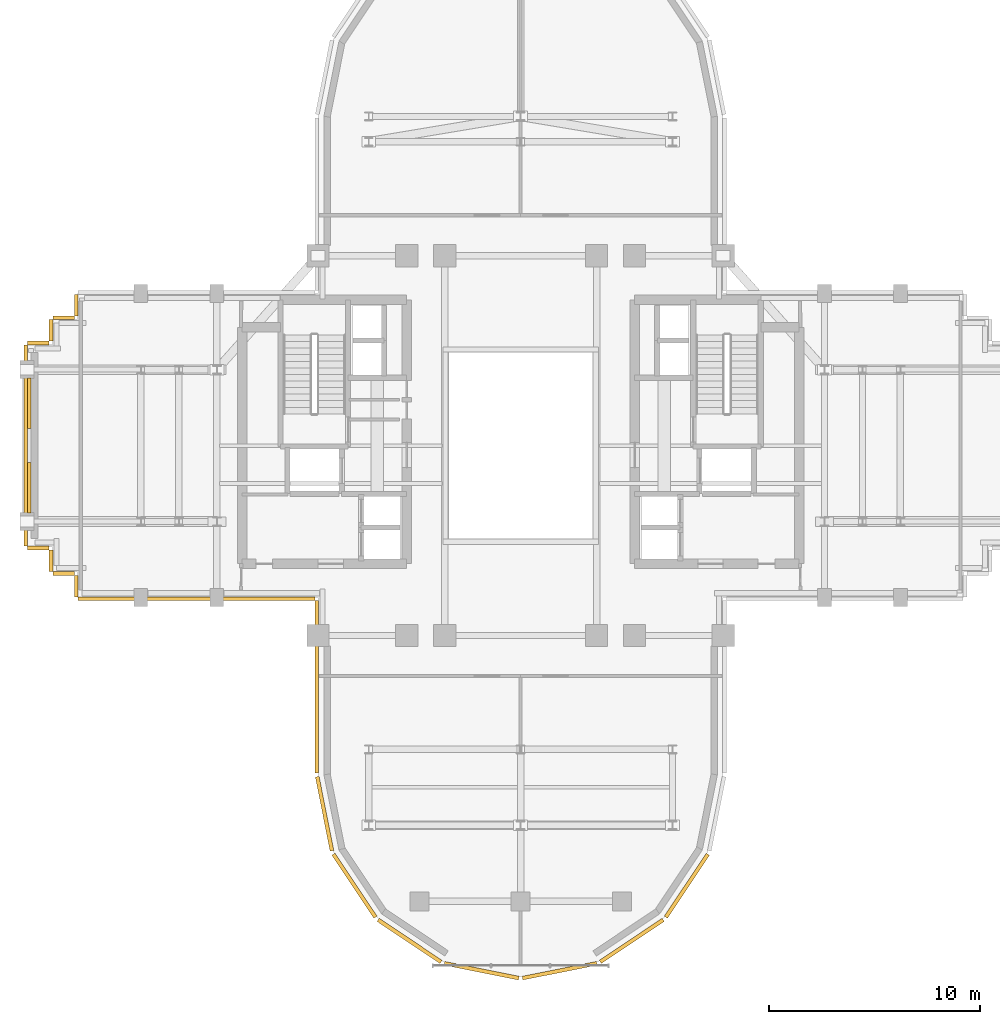
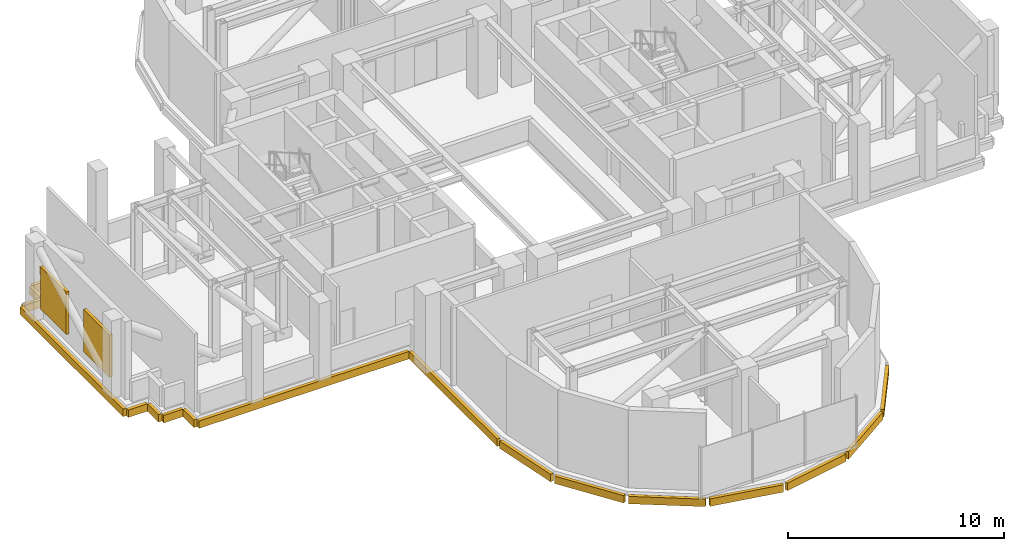
# One storey, part 9 of 11: 18 coverings, 2 shading devices.
"""IFC4 building model written with IfcOpenShell, lengths in metres."""

from ifc_helpers import new_model, si_unit, direction, frame, origin, origin_2d, place, context, subcontext, project, spatial, rectangle, extrude, source, transform, mapped, material, layer, layer_set, type_object, element, save


model = new_model("IFC4")

# Units and contexts
model_context = context("Model", 3, precision=1e-05, world=origin(), true_north=direction((0.0, 1.0)))
body_context = subcontext(model_context, "Body", "Model", "MODEL_VIEW")
ifc_project = project(units=[si_unit("LENGTHUNIT", "METRE"), si_unit("AREAUNIT", "SQUARE_METRE"), si_unit("VOLUMEUNIT", "CUBIC_METRE"), si_unit("PLANEANGLEUNIT", "RADIAN"), si_unit("MASSUNIT", "GRAM", prefix="KILO")], contexts=[model_context])

# Site, building, storey
site_placement = place(None, origin())
site = spatial("IfcSite", under=ifc_project, at=site_placement, CompositionType="ELEMENT")
building_placement = place(site_placement, origin())
building = spatial("IfcBuilding", under=site, at=building_placement, Name="Keilestroom Media Tower", CompositionType="ELEMENT")
storey_placement = place(building_placement, frame((0.0, 0.0, 151.60009765625)))
storey = spatial("IfcBuildingStorey", under=building, at=storey_placement, Name="L41", CompositionType="ELEMENT", Elevation=151.60009765625)

# Shading devices
ifc_material_1 = material(Name="Bronze Anodised Aluminium", Category="aluminium")
ifc_layer_1 = layer(ifc_material_1, 0.159912109375)
ifc_layer_set_1 = layer_set([ifc_layer_1], Name="Bronze Anodised Aluminium")
shading_device_type = type_object("IfcShadingDeviceType", Name="Facade-Plant-Intake-Louvre-SHD-2", PredefinedType="USERDEFINED", material=ifc_layer_set_1)
shared_shape_1 = source(origin(), body_context, "Body", "SweptSolid", [
    extrude(rectangle(XDim=0.159912109375, YDim=2.39990234375, at=origin_2d()), origin(), (0.0, 0.0, 1.0), 2.39990234375),
])
for number, where, z_axis, x_axis, name in (
    (1, (-23.2900390625, -2.0, 0.599853515625), (0.0, 0.0, 1.0), (1.0, 0.0, 0.0), "L41 Plant Intake Louvre W 09"),
    (2, (-23.2900390625, 2.0, 0.599853515625), (0.0, 0.0, 1.0), (1.0, 0.0, 0.0), "L41 Plant Intake Louvre W 10"),
):
    element("IfcShadingDevice", number, at=place(storey_placement, frame(where, z_axis=z_axis, x_axis=x_axis)), inside=storey, type_object=shading_device_type, Name=name, ObjectType="LOUVER", PredefinedType="USERDEFINED", context=body_context, shape_type="MappedRepresentation", body=[
        mapped(shared_shape_1, transform((0.0, 0.0, 0.0), x_axis=(1.0, 0.0, 0.0), y_axis=(0.0, 1.0, 0.0), z_axis=(0.0, 0.0, 1.0), scale=1.0)),
    ])

# Coverings
ifc_material_2 = material(Name="Precast concrete C40/50", Category="concrete")
ifc_layer_2 = layer(ifc_material_2, 0.1201171875)
ifc_layer_set_2 = layer_set([ifc_layer_2], Name="Precast concrete C40/50")
covering_type = type_object("IfcCoveringType", Name="Exterior-Precast-Spandrel-Cladding-Panel-120", PredefinedType="CLADDING", material=ifc_layer_set_2)
shared_shape_2 = source(origin(), body_context, "Body", "SweptSolid", [
    extrude(rectangle(XDim=1.02001953125, YDim=0.179931640625, at=origin_2d()), origin(), (0.0, 0.0, 1.0), 0.419921875),
])
for number, where, z_axis, x_axis, name in (
    (3, (-21.06005859375, -6.659912109375, -0.60009765625), (0.0, 0.0, 1.0), (0.0, 1.0, 0.0), "L41 Precast Slab-Edge Fascia Cornice 17"),
    (4, (-21.659912109375, -6.06005859375, -0.60009765625), (0.0, 0.0, 1.0), (-1.0, 0.0, 0.0), "L41 Precast Slab-Edge Fascia Cornice 18"),
    (5, (-22.260009765625, -5.4599609375, -0.60009765625), (0.0, 0.0, 1.0), (0.0, 1.0, 0.0), "L41 Precast Slab-Edge Fascia Cornice 19"),
    (6, (-22.860107421875, -4.860107421875, -0.60009765625), (0.0, 0.0, 1.0), (-1.0, 0.0, 0.0), "L41 Precast Slab-Edge Fascia Cornice 20"),
    (7, (-22.860107421875, 4.860107421875, -0.60009765625), (0.0, 0.0, 1.0), (1.0, 0.0, 0.0), "L41 Precast Slab-Edge Fascia Cornice 22"),
    (8, (-22.260009765625, 5.4599609375, -0.60009765625), (0.0, 0.0, 1.0), (0.0, 1.0, 0.0), "L41 Precast Slab-Edge Fascia Cornice 23"),
    (9, (-21.659912109375, 6.06005859375, -0.60009765625), (0.0, 0.0, 1.0), (1.0, 0.0, 0.0), "L41 Precast Slab-Edge Fascia Cornice 24"),
    (10, (-21.06005859375, 6.659912109375, -0.60009765625), (0.0, 0.0, 1.0), (0.0, 1.0, 0.0), "L41 Precast Slab-Edge Fascia Cornice 25"),
):
    element("IfcCovering", number, at=place(storey_placement, frame(where, z_axis=z_axis, x_axis=x_axis)), inside=storey, type_object=covering_type, Name=name, PredefinedType="CLADDING", context=body_context, shape_type="MappedRepresentation", body=[
        mapped(shared_shape_2, transform((0.0, 0.0, 0.0), x_axis=(1.0, 0.0, 0.0), y_axis=(0.0, 1.0, 0.0), z_axis=(0.0, 0.0, 1.0), scale=1.0)),
    ])
shared_shape_3 = source(origin(), body_context, "Body", "SweptSolid", [
    extrude(rectangle(XDim=8.166015625, YDim=0.179931640625, at=origin_2d()), origin(), (0.0, 0.0, 1.0), 0.419921875),
])
covering_1_placement = place(storey_placement, frame((-9.659912109375, -11.43310546875, -0.60009765625), z_axis=(0.0, 0.0, 1.0), x_axis=(0.0, 1.0, 0.0)))
element("IfcCovering", 11, at=covering_1_placement, inside=storey, type_object=covering_type, Name="L41 Precast Slab-Edge Fascia Cornice 15", PredefinedType="CLADDING", context=body_context, shape_type="MappedRepresentation", body=[
    mapped(shared_shape_3, transform((0.0, 0.0, 0.0), x_axis=(1.0, 0.0, 0.0), y_axis=(0.0, 1.0, 0.0), z_axis=(0.0, 0.0, 1.0), scale=1.0)),
])
shared_shape_4 = source(origin(), body_context, "Body", "SweptSolid", [
    extrude(rectangle(XDim=3.58349609375, YDim=0.179931640625, at=origin_2d()), origin(), (0.0, 0.0, 1.0), 0.419921875),
])
covering_2_placement = place(storey_placement, frame((-9.29296875, -17.45166015625, -0.60009765625), z_axis=(0.0, 0.0, 1.0), x_axis=(-0.195098880975, 0.980783577882, 0.0)))
element("IfcCovering", 12, at=covering_2_placement, inside=storey, type_object=covering_type, Name="L41 Precast Slab-Edge Fascia Cornice 14", PredefinedType="CLADDING", context=body_context, shape_type="MappedRepresentation", body=[
    mapped(shared_shape_4, transform((0.0, 0.0, 0.0), x_axis=(1.0, 0.0, 0.0), y_axis=(0.0, 1.0, 0.0), z_axis=(0.0, 0.0, 1.0), scale=1.0)),
])
shared_shape_5 = source(origin(), body_context, "Body", "SweptSolid", [
    extrude(rectangle(XDim=3.589599609375, YDim=0.179931640625, at=origin_2d()), origin(), (0.0, 0.0, 1.0), 0.419921875),
])
for number, where, z_axis, x_axis, name in (
    (13, (7.878662109375, -20.8642578125, -0.60009765625), (0.0, 0.0, 1.0), (-0.555574586577, -0.831466703332, 0.0), "L41 Precast Slab-Edge Fascia Cornice 08"),
    (14, (5.264404296875, -23.478515625, -0.60009765625), (0.0, 0.0, 1.0), (-0.831466703332, -0.555574586577, 0.0), "L41 Precast Slab-Edge Fascia Cornice 09"),
    (15, (1.8486328125, -24.893310546875, -0.60009765625), (0.0, 0.0, 1.0), (-0.980783577882, -0.195098880975, 0.0), "L41 Precast Slab-Edge Fascia Cornice 10"),
    (16, (-1.8486328125, -24.893310546875, -0.60009765625), (0.0, 0.0, 1.0), (-0.980783577882, 0.195098880975, 0.0), "L41 Precast Slab-Edge Fascia Cornice 11"),
    (17, (-5.264404296875, -23.478515625, -0.60009765625), (0.0, 0.0, 1.0), (-0.831466703332, 0.555574586577, 0.0), "L41 Precast Slab-Edge Fascia Cornice 12"),
    (18, (-7.878662109375, -20.8642578125, -0.60009765625), (0.0, 0.0, 1.0), (-0.555574586577, 0.831466703332, 0.0), "L41 Precast Slab-Edge Fascia Cornice 13"),
):
    element("IfcCovering", number, at=place(storey_placement, frame(where, z_axis=z_axis, x_axis=x_axis)), inside=storey, type_object=covering_type, Name=name, PredefinedType="CLADDING", context=body_context, shape_type="MappedRepresentation", body=[
        mapped(shared_shape_5, transform((0.0, 0.0, 0.0), x_axis=(1.0, 0.0, 0.0), y_axis=(0.0, 1.0, 0.0), z_axis=(0.0, 0.0, 1.0), scale=1.0)),
    ])
shared_shape_6 = source(origin(), body_context, "Body", "SweptSolid", [
    extrude(rectangle(XDim=9.5400390625, YDim=0.179931640625, at=origin_2d()), origin(), (0.0, 0.0, 1.0), 0.419921875),
])
covering_3_placement = place(storey_placement, frame((-23.4599609375, 0.0, -0.60009765625), z_axis=(0.0, 0.0, 1.0), x_axis=(0.0, 1.0, 0.0)))
element("IfcCovering", 19, at=covering_3_placement, inside=storey, type_object=covering_type, Name="L41 Precast Slab-Edge Fascia Cornice 21", PredefinedType="CLADDING", context=body_context, shape_type="MappedRepresentation", body=[
    mapped(shared_shape_6, transform((0.0, 0.0, 0.0), x_axis=(1.0, 0.0, 0.0), y_axis=(0.0, 1.0, 0.0), z_axis=(0.0, 0.0, 1.0), scale=1.0)),
])
shared_shape_7 = source(origin(), body_context, "Body", "SweptSolid", [
    extrude(rectangle(XDim=11.219970703125, YDim=0.179931640625, at=origin_2d()), origin(), (0.0, 0.0, 1.0), 0.419921875),
])
covering_4_placement = place(storey_placement, frame((-15.360107421875, -7.260009765625, -0.60009765625), z_axis=(0.0, 0.0, 1.0), x_axis=(-1.0, 0.0, 0.0)))
element("IfcCovering", 20, at=covering_4_placement, inside=storey, type_object=covering_type, Name="L41 Precast Slab-Edge Fascia Cornice 16", PredefinedType="CLADDING", context=body_context, shape_type="MappedRepresentation", body=[
    mapped(shared_shape_7, transform((0.0, 0.0, 0.0), x_axis=(1.0, 0.0, 0.0), y_axis=(0.0, 1.0, 0.0), z_axis=(0.0, 0.0, 1.0), scale=1.0)),
])

save(model, "model.ifc")
